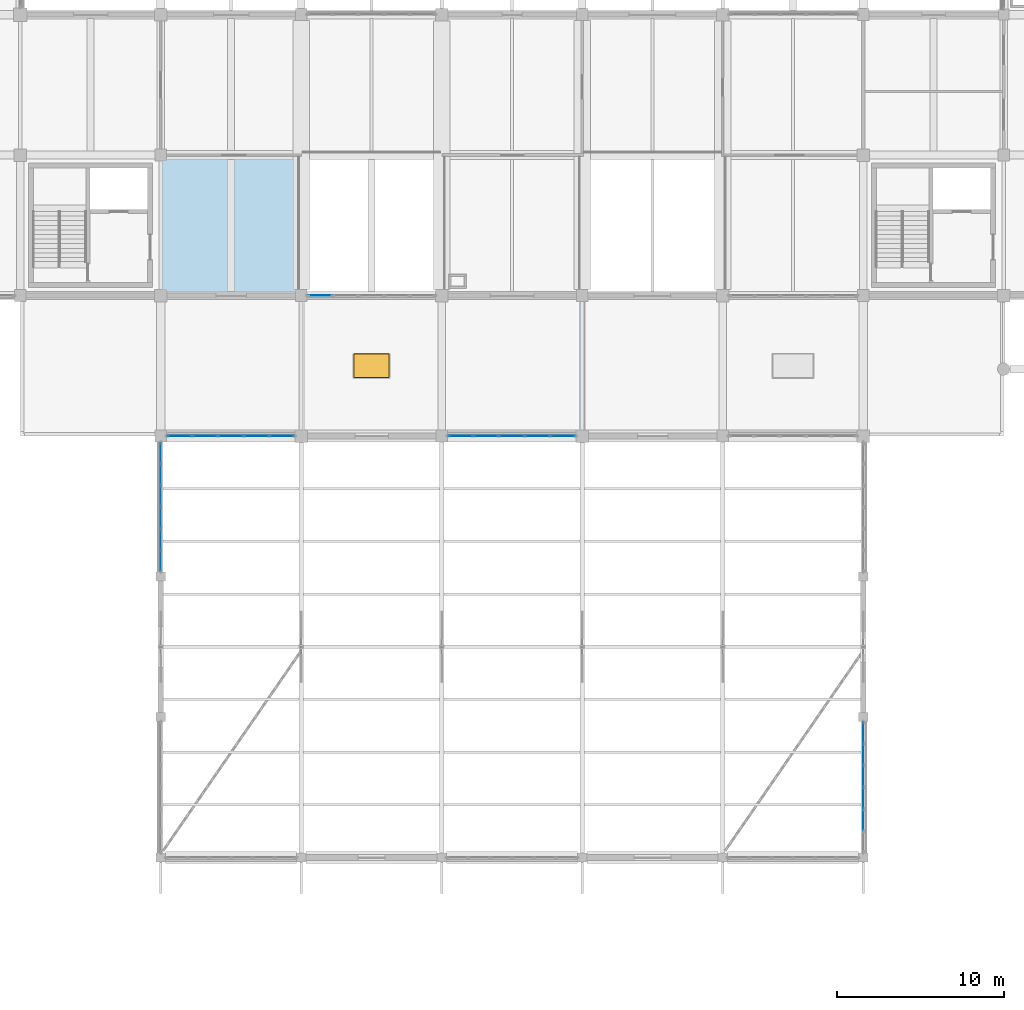
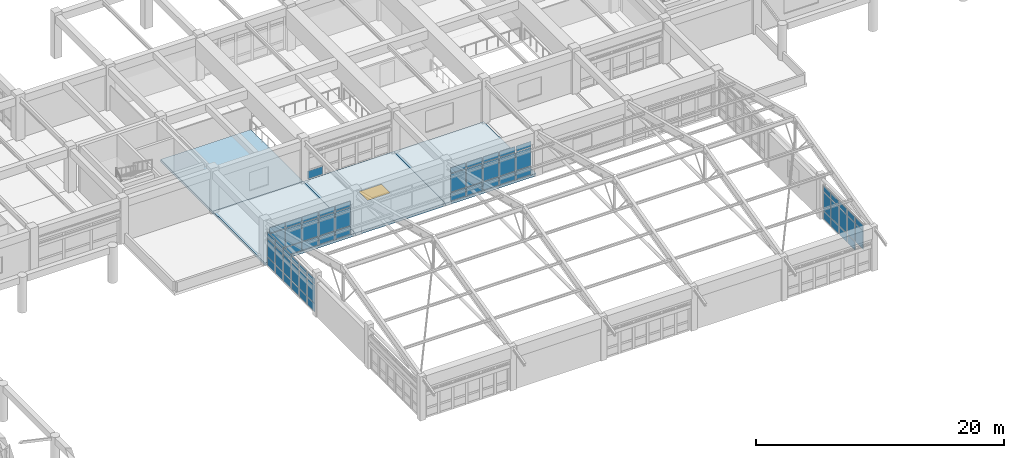
# One storey, part 61 of 99: 63 plates, 4 slabs, 1 window, 1 opening, 5 elements without a shape of their own.
"""IFC4 building model written with IfcOpenShell, lengths in metres."""

from ifc_helpers import new_model, si_unit, direction, frame, origin, origin_2d, place, context, subcontext, project, spatial, polyline, rectangle, outline, extrude, material, layer, layer_set, type_object, element, fill, aggregate, save


model = new_model("IFC4")

# Units and contexts
model_context = context("Model", 3, precision=1e-05, world=origin(), true_north=direction((0.0, 1.0)))
body_context = subcontext(model_context, "Body", "Model", "MODEL_VIEW")
ifc_project = project(units=[si_unit("LENGTHUNIT", "METRE"), si_unit("AREAUNIT", "SQUARE_METRE"), si_unit("VOLUMEUNIT", "CUBIC_METRE"), si_unit("PLANEANGLEUNIT", "RADIAN"), si_unit("MASSUNIT", "GRAM", prefix="KILO")], contexts=[model_context])

# Site, building, storey
site_placement = place(None, origin())
site = spatial("IfcSite", under=ifc_project, at=site_placement, CompositionType="ELEMENT")
building_placement = place(site_placement, origin())
building = spatial("IfcBuilding", under=site, at=building_placement, Name="Porcellanite Civic Hall", CompositionType="ELEMENT")
storey_placement = place(building_placement, frame((0.0, 0.0, 5.760009765625)))
storey = spatial("IfcBuildingStorey", under=building, at=storey_placement, Name="L01", CompositionType="ELEMENT", Elevation=5.760009765625)

# Curtain wall, plates
ifc_material_1 = material(Name="Anodised aluminium and solar laminated glass", Category="aluminium")
ifc_layer_1 = layer(ifc_material_1, 0.179931640625)
ifc_layer_set_1 = layer_set([ifc_layer_1], Name="Anodised aluminium and solar laminated glass")
curtain_wall_type = type_object("IfcCurtainWallType", Name="CW-SYS01", PredefinedType="NOTDEFINED", material=ifc_layer_set_1)
curtain_wall_1_placement = place(storey_placement, origin())
curtain_wall_1 = element("IfcCurtainWall", 1, at=curtain_wall_1_placement, inside=storey, type_object=curtain_wall_type, Name="Curtain wall CW-090", PredefinedType="NOTDEFINED")
ifc_material_2 = material(Name="Cyclone laminated solar-control low-E glass", Category="glass")
ifc_layer_2 = layer(ifc_material_2, 0.02392578125)
ifc_layer_set_2 = layer_set([ifc_layer_2], Name="Cyclone laminated solar-control low-E glass")
plate_type = type_object("IfcPlateType", Name="CWP-01", PredefinedType="CURTAIN_PANEL", material=ifc_layer_set_2)
plate_1_placement = place(storey_placement, frame((67.199951171875, 34.543701171875, 0.070068359375), z_axis=(0.0, 0.0, 1.0), x_axis=(0.0, 1.0, 0.0)))
plate_1 = element("IfcPlate", 2, at=plate_1_placement, type_object=plate_type, Name="CW-090 panel 1.1", PredefinedType="CURTAIN_PANEL", context=body_context, shape_type="SweptSolid", body=[
    extrude(rectangle(XDim=1.175537109375, YDim=0.02392578125, at=origin_2d()), origin(), (0.0, 0.0, 1.0), 0.794921875),
])
plate_2_placement = place(storey_placement, frame((67.199951171875, 34.543701171875, 0.93505859375), z_axis=(0.0, 0.0, 1.0), x_axis=(0.0, 1.0, 0.0)))
plate_2 = element("IfcPlate", 3, at=plate_2_placement, type_object=plate_type, Name="CW-090 panel 1.2", PredefinedType="CURTAIN_PANEL", context=body_context, shape_type="SweptSolid", body=[
    extrude(rectangle(XDim=1.175537109375, YDim=0.02392578125, at=origin_2d()), origin(), (0.0, 0.0, 1.0), 1.780029296875),
])
plate_3_placement = place(storey_placement, frame((67.199951171875, 34.543701171875, 2.784912109375), z_axis=(0.0, 0.0, 1.0), x_axis=(0.0, 1.0, 0.0)))
plate_3 = element("IfcPlate", 4, at=plate_3_placement, type_object=plate_type, Name="CW-090 panel 1.3", PredefinedType="CURTAIN_PANEL", context=body_context, shape_type="SweptSolid", body=[
    extrude(rectangle(XDim=1.175537109375, YDim=0.02392578125, at=origin_2d()), origin(), (0.0, 0.0, 1.0), 0.544921875),
])
plate_4_placement = place(storey_placement, frame((67.199951171875, 35.8193359375, 0.070068359375), z_axis=(0.0, 0.0, 1.0), x_axis=(0.0, 1.0, 0.0)))
plate_4 = element("IfcPlate", 5, at=plate_4_placement, type_object=plate_type, Name="CW-090 panel 2.1", PredefinedType="CURTAIN_PANEL", context=body_context, shape_type="SweptSolid", body=[
    extrude(rectangle(XDim=1.215576171875, YDim=0.02392578125, at=origin_2d()), origin(), (0.0, 0.0, 1.0), 0.794921875),
])
plate_5_placement = place(storey_placement, frame((67.199951171875, 35.8193359375, 0.93505859375), z_axis=(0.0, 0.0, 1.0), x_axis=(0.0, 1.0, 0.0)))
plate_5 = element("IfcPlate", 6, at=plate_5_placement, type_object=plate_type, Name="CW-090 panel 2.2", PredefinedType="CURTAIN_PANEL", context=body_context, shape_type="SweptSolid", body=[
    extrude(rectangle(XDim=1.215576171875, YDim=0.02392578125, at=origin_2d()), origin(), (0.0, 0.0, 1.0), 1.780029296875),
])
plate_6_placement = place(storey_placement, frame((67.199951171875, 35.8193359375, 2.784912109375), z_axis=(0.0, 0.0, 1.0), x_axis=(0.0, 1.0, 0.0)))
plate_6 = element("IfcPlate", 7, at=plate_6_placement, type_object=plate_type, Name="CW-090 panel 2.3", PredefinedType="CURTAIN_PANEL", context=body_context, shape_type="SweptSolid", body=[
    extrude(rectangle(XDim=1.215576171875, YDim=0.02392578125, at=origin_2d()), origin(), (0.0, 0.0, 1.0), 0.544921875),
])
plate_7_placement = place(storey_placement, frame((67.199951171875, 37.11474609375, 0.070068359375), z_axis=(0.0, 0.0, 1.0), x_axis=(0.0, 1.0, 0.0)))
plate_7 = element("IfcPlate", 8, at=plate_7_placement, type_object=plate_type, Name="CW-090 panel 3.1", PredefinedType="CURTAIN_PANEL", context=body_context, shape_type="SweptSolid", body=[
    extrude(rectangle(XDim=1.215576171875, YDim=0.02392578125, at=origin_2d()), origin(), (0.0, 0.0, 1.0), 0.794921875),
])
plate_8_placement = place(storey_placement, frame((67.199951171875, 37.11474609375, 0.93505859375), z_axis=(0.0, 0.0, 1.0), x_axis=(0.0, 1.0, 0.0)))
plate_8 = element("IfcPlate", 9, at=plate_8_placement, type_object=plate_type, Name="CW-090 panel 3.2", PredefinedType="CURTAIN_PANEL", context=body_context, shape_type="SweptSolid", body=[
    extrude(rectangle(XDim=1.215576171875, YDim=0.02392578125, at=origin_2d()), origin(), (0.0, 0.0, 1.0), 1.780029296875),
])
plate_9_placement = place(storey_placement, frame((67.199951171875, 37.11474609375, 2.784912109375), z_axis=(0.0, 0.0, 1.0), x_axis=(0.0, 1.0, 0.0)))
plate_9 = element("IfcPlate", 10, at=plate_9_placement, type_object=plate_type, Name="CW-090 panel 3.3", PredefinedType="CURTAIN_PANEL", context=body_context, shape_type="SweptSolid", body=[
    extrude(rectangle(XDim=1.215576171875, YDim=0.02392578125, at=origin_2d()), origin(), (0.0, 0.0, 1.0), 0.544921875),
])
plate_10_placement = place(storey_placement, frame((67.199951171875, 38.41015625, 0.070068359375), z_axis=(0.0, 0.0, 1.0), x_axis=(0.0, 1.0, 0.0)))
plate_10 = element("IfcPlate", 11, at=plate_10_placement, type_object=plate_type, Name="CW-090 panel 4.1", PredefinedType="CURTAIN_PANEL", context=body_context, shape_type="SweptSolid", body=[
    extrude(rectangle(XDim=1.215576171875, YDim=0.02392578125, at=origin_2d()), origin(), (0.0, 0.0, 1.0), 0.794921875),
])
plate_11_placement = place(storey_placement, frame((67.199951171875, 38.41015625, 0.93505859375), z_axis=(0.0, 0.0, 1.0), x_axis=(0.0, 1.0, 0.0)))
plate_11 = element("IfcPlate", 12, at=plate_11_placement, type_object=plate_type, Name="CW-090 panel 4.2", PredefinedType="CURTAIN_PANEL", context=body_context, shape_type="SweptSolid", body=[
    extrude(rectangle(XDim=1.215576171875, YDim=0.02392578125, at=origin_2d()), origin(), (0.0, 0.0, 1.0), 1.780029296875),
])
plate_12_placement = place(storey_placement, frame((67.199951171875, 38.41015625, 2.784912109375), z_axis=(0.0, 0.0, 1.0), x_axis=(0.0, 1.0, 0.0)))
plate_12 = element("IfcPlate", 13, at=plate_12_placement, type_object=plate_type, Name="CW-090 panel 4.3", PredefinedType="CURTAIN_PANEL", context=body_context, shape_type="SweptSolid", body=[
    extrude(rectangle(XDim=1.215576171875, YDim=0.02392578125, at=origin_2d()), origin(), (0.0, 0.0, 1.0), 0.544921875),
])
plate_13_placement = place(storey_placement, frame((67.199951171875, 39.705810546875, 0.070068359375), z_axis=(0.0, 0.0, 1.0), x_axis=(0.0, 1.0, 0.0)))
plate_13 = element("IfcPlate", 14, at=plate_13_placement, type_object=plate_type, Name="CW-090 panel 5.1", PredefinedType="CURTAIN_PANEL", context=body_context, shape_type="SweptSolid", body=[
    extrude(rectangle(XDim=1.215576171875, YDim=0.02392578125, at=origin_2d()), origin(), (0.0, 0.0, 1.0), 0.794921875),
])
plate_14_placement = place(storey_placement, frame((67.199951171875, 39.705810546875, 0.93505859375), z_axis=(0.0, 0.0, 1.0), x_axis=(0.0, 1.0, 0.0)))
plate_14 = element("IfcPlate", 15, at=plate_14_placement, type_object=plate_type, Name="CW-090 panel 5.2", PredefinedType="CURTAIN_PANEL", context=body_context, shape_type="SweptSolid", body=[
    extrude(rectangle(XDim=1.215576171875, YDim=0.02392578125, at=origin_2d()), origin(), (0.0, 0.0, 1.0), 1.780029296875),
])
plate_15_placement = place(storey_placement, frame((67.199951171875, 39.705810546875, 2.784912109375), z_axis=(0.0, 0.0, 1.0), x_axis=(0.0, 1.0, 0.0)))
plate_15 = element("IfcPlate", 16, at=plate_15_placement, type_object=plate_type, Name="CW-090 panel 5.3", PredefinedType="CURTAIN_PANEL", context=body_context, shape_type="SweptSolid", body=[
    extrude(rectangle(XDim=1.215576171875, YDim=0.02392578125, at=origin_2d()), origin(), (0.0, 0.0, 1.0), 0.544921875),
])
plate_16_placement = place(storey_placement, frame((67.199951171875, 40.981201171875, 0.070068359375), z_axis=(0.0, 0.0, 1.0), x_axis=(0.0, 1.0, 0.0)))
plate_16 = element("IfcPlate", 17, at=plate_16_placement, type_object=plate_type, Name="CW-090 panel 6.1", PredefinedType="CURTAIN_PANEL", context=body_context, shape_type="SweptSolid", body=[
    extrude(rectangle(XDim=1.175537109375, YDim=0.02392578125, at=origin_2d()), origin(), (0.0, 0.0, 1.0), 0.794921875),
])
plate_17_placement = place(storey_placement, frame((67.199951171875, 40.981201171875, 0.93505859375), z_axis=(0.0, 0.0, 1.0), x_axis=(0.0, 1.0, 0.0)))
plate_17 = element("IfcPlate", 18, at=plate_17_placement, type_object=plate_type, Name="CW-090 panel 6.2", PredefinedType="CURTAIN_PANEL", context=body_context, shape_type="SweptSolid", body=[
    extrude(rectangle(XDim=1.175537109375, YDim=0.02392578125, at=origin_2d()), origin(), (0.0, 0.0, 1.0), 1.780029296875),
])
plate_18_placement = place(storey_placement, frame((67.199951171875, 40.981201171875, 2.784912109375), z_axis=(0.0, 0.0, 1.0), x_axis=(0.0, 1.0, 0.0)))
plate_18 = element("IfcPlate", 19, at=plate_18_placement, type_object=plate_type, Name="CW-090 panel 6.3", PredefinedType="CURTAIN_PANEL", context=body_context, shape_type="SweptSolid", body=[
    extrude(rectangle(XDim=1.175537109375, YDim=0.02392578125, at=origin_2d()), origin(), (0.0, 0.0, 1.0), 0.544921875),
])
aggregate(curtain_wall_1, [plate_1, plate_2, plate_3, plate_4, plate_5, plate_6, plate_7, plate_8, plate_9, plate_10, plate_11, plate_12, plate_13, plate_14, plate_15, plate_16, plate_17, plate_18])

curtain_wall_2_placement = place(storey_placement, origin())
curtain_wall_2 = element("IfcCurtainWall", 20, at=curtain_wall_2_placement, inside=storey, type_object=curtain_wall_type, Name="Curtain wall CW-091", PredefinedType="NOTDEFINED")
plate_19_placement = place(storey_placement, frame((68.33837890625, 42.0, 0.070068359375), z_axis=(0.0, 0.0, 1.0), x_axis=(1.0, 0.0, 0.0)))
plate_19 = element("IfcPlate", 21, at=plate_19_placement, type_object=plate_type, Name="CW-091 panel 1.1", PredefinedType="CURTAIN_PANEL", context=body_context, shape_type="SweptSolid", body=[
    extrude(rectangle(XDim=1.41455078125, YDim=0.02392578125, at=origin_2d()), origin(), (0.0, 0.0, 1.0), 0.794921875),
])
plate_20_placement = place(storey_placement, frame((68.33837890625, 42.0, 0.93505859375), z_axis=(0.0, 0.0, 1.0), x_axis=(1.0, 0.0, 0.0)))
plate_20 = element("IfcPlate", 22, at=plate_20_placement, type_object=plate_type, Name="CW-091 panel 1.2", PredefinedType="CURTAIN_PANEL", context=body_context, shape_type="SweptSolid", body=[
    extrude(rectangle(XDim=1.41455078125, YDim=0.02392578125, at=origin_2d()), origin(), (0.0, 0.0, 1.0), 1.780029296875),
])
plate_21_placement = place(storey_placement, frame((68.33837890625, 42.0, 2.784912109375), z_axis=(0.0, 0.0, 1.0), x_axis=(1.0, 0.0, 0.0)))
plate_21 = element("IfcPlate", 23, at=plate_21_placement, type_object=plate_type, Name="CW-091 panel 1.3", PredefinedType="CURTAIN_PANEL", context=body_context, shape_type="SweptSolid", body=[
    extrude(rectangle(XDim=1.41455078125, YDim=0.02392578125, at=origin_2d()), origin(), (0.0, 0.0, 1.0), 0.544921875),
])
plate_22_placement = place(storey_placement, frame((69.852783203125, 42.0, 0.070068359375), z_axis=(0.0, 0.0, 1.0), x_axis=(1.0, 0.0, 0.0)))
plate_22 = element("IfcPlate", 24, at=plate_22_placement, type_object=plate_type, Name="CW-091 panel 2.1", PredefinedType="CURTAIN_PANEL", context=body_context, shape_type="SweptSolid", body=[
    extrude(rectangle(XDim=1.45458984375, YDim=0.02392578125, at=origin_2d()), origin(), (0.0, 0.0, 1.0), 0.794921875),
])
plate_23_placement = place(storey_placement, frame((69.852783203125, 42.0, 0.93505859375), z_axis=(0.0, 0.0, 1.0), x_axis=(1.0, 0.0, 0.0)))
plate_23 = element("IfcPlate", 25, at=plate_23_placement, type_object=plate_type, Name="CW-091 panel 2.2", PredefinedType="CURTAIN_PANEL", context=body_context, shape_type="SweptSolid", body=[
    extrude(rectangle(XDim=1.45458984375, YDim=0.02392578125, at=origin_2d()), origin(), (0.0, 0.0, 1.0), 1.780029296875),
])
plate_24_placement = place(storey_placement, frame((69.852783203125, 42.0, 2.784912109375), z_axis=(0.0, 0.0, 1.0), x_axis=(1.0, 0.0, 0.0)))
plate_24 = element("IfcPlate", 26, at=plate_24_placement, type_object=plate_type, Name="CW-091 panel 2.3", PredefinedType="CURTAIN_PANEL", context=body_context, shape_type="SweptSolid", body=[
    extrude(rectangle(XDim=1.45458984375, YDim=0.02392578125, at=origin_2d()), origin(), (0.0, 0.0, 1.0), 0.544921875),
])
plate_25_placement = place(storey_placement, frame((71.387451171875, 42.0, 0.070068359375), z_axis=(0.0, 0.0, 1.0), x_axis=(1.0, 0.0, 0.0)))
plate_25 = element("IfcPlate", 27, at=plate_25_placement, type_object=plate_type, Name="CW-091 panel 3.1", PredefinedType="CURTAIN_PANEL", context=body_context, shape_type="SweptSolid", body=[
    extrude(rectangle(XDim=1.45458984375, YDim=0.02392578125, at=origin_2d()), origin(), (0.0, 0.0, 1.0), 0.794921875),
])
plate_26_placement = place(storey_placement, frame((71.387451171875, 42.0, 0.93505859375), z_axis=(0.0, 0.0, 1.0), x_axis=(1.0, 0.0, 0.0)))
plate_26 = element("IfcPlate", 28, at=plate_26_placement, type_object=plate_type, Name="CW-091 panel 3.2", PredefinedType="CURTAIN_PANEL", context=body_context, shape_type="SweptSolid", body=[
    extrude(rectangle(XDim=1.45458984375, YDim=0.02392578125, at=origin_2d()), origin(), (0.0, 0.0, 1.0), 1.780029296875),
])
plate_27_placement = place(storey_placement, frame((71.387451171875, 42.0, 2.784912109375), z_axis=(0.0, 0.0, 1.0), x_axis=(1.0, 0.0, 0.0)))
plate_27 = element("IfcPlate", 29, at=plate_27_placement, type_object=plate_type, Name="CW-091 panel 3.3", PredefinedType="CURTAIN_PANEL", context=body_context, shape_type="SweptSolid", body=[
    extrude(rectangle(XDim=1.45458984375, YDim=0.02392578125, at=origin_2d()), origin(), (0.0, 0.0, 1.0), 0.544921875),
])
plate_28_placement = place(storey_placement, frame((72.922119140625, 42.0, 0.070068359375), z_axis=(0.0, 0.0, 1.0), x_axis=(1.0, 0.0, 0.0)))
plate_28 = element("IfcPlate", 30, at=plate_28_placement, type_object=plate_type, Name="CW-091 panel 4.1", PredefinedType="CURTAIN_PANEL", context=body_context, shape_type="SweptSolid", body=[
    extrude(rectangle(XDim=1.45458984375, YDim=0.02392578125, at=origin_2d()), origin(), (0.0, 0.0, 1.0), 0.794921875),
])
plate_29_placement = place(storey_placement, frame((72.922119140625, 42.0, 0.93505859375), z_axis=(0.0, 0.0, 1.0), x_axis=(1.0, 0.0, 0.0)))
plate_29 = element("IfcPlate", 31, at=plate_29_placement, type_object=plate_type, Name="CW-091 panel 4.2", PredefinedType="CURTAIN_PANEL", context=body_context, shape_type="SweptSolid", body=[
    extrude(rectangle(XDim=1.45458984375, YDim=0.02392578125, at=origin_2d()), origin(), (0.0, 0.0, 1.0), 1.780029296875),
])
plate_30_placement = place(storey_placement, frame((72.922119140625, 42.0, 2.784912109375), z_axis=(0.0, 0.0, 1.0), x_axis=(1.0, 0.0, 0.0)))
plate_30 = element("IfcPlate", 32, at=plate_30_placement, type_object=plate_type, Name="CW-091 panel 4.3", PredefinedType="CURTAIN_PANEL", context=body_context, shape_type="SweptSolid", body=[
    extrude(rectangle(XDim=1.45458984375, YDim=0.02392578125, at=origin_2d()), origin(), (0.0, 0.0, 1.0), 0.544921875),
])
plate_31_placement = place(storey_placement, frame((74.436767578125, 42.0, 0.070068359375), z_axis=(0.0, 0.0, 1.0), x_axis=(1.0, 0.0, 0.0)))
plate_31 = element("IfcPlate", 33, at=plate_31_placement, type_object=plate_type, Name="CW-091 panel 5.1", PredefinedType="CURTAIN_PANEL", context=body_context, shape_type="SweptSolid", body=[
    extrude(rectangle(XDim=1.41455078125, YDim=0.02392578125, at=origin_2d()), origin(), (0.0, 0.0, 1.0), 0.794921875),
])
plate_32_placement = place(storey_placement, frame((74.436767578125, 42.0, 0.93505859375), z_axis=(0.0, 0.0, 1.0), x_axis=(1.0, 0.0, 0.0)))
plate_32 = element("IfcPlate", 34, at=plate_32_placement, type_object=plate_type, Name="CW-091 panel 5.2", PredefinedType="CURTAIN_PANEL", context=body_context, shape_type="SweptSolid", body=[
    extrude(rectangle(XDim=1.41455078125, YDim=0.02392578125, at=origin_2d()), origin(), (0.0, 0.0, 1.0), 1.780029296875),
])
plate_33_placement = place(storey_placement, frame((74.436767578125, 42.0, 2.784912109375), z_axis=(0.0, 0.0, 1.0), x_axis=(1.0, 0.0, 0.0)))
plate_33 = element("IfcPlate", 35, at=plate_33_placement, type_object=plate_type, Name="CW-091 panel 5.3", PredefinedType="CURTAIN_PANEL", context=body_context, shape_type="SweptSolid", body=[
    extrude(rectangle(XDim=1.41455078125, YDim=0.02392578125, at=origin_2d()), origin(), (0.0, 0.0, 1.0), 0.544921875),
])
aggregate(curtain_wall_2, [plate_19, plate_20, plate_21, plate_22, plate_23, plate_24, plate_25, plate_26, plate_27, plate_28, plate_29, plate_30, plate_31, plate_32, plate_33])

# Curtain wall, plate
curtain_wall_3_placement = place(storey_placement, origin())
curtain_wall_3 = element("IfcCurtainWall", 36, at=curtain_wall_3_placement, inside=storey, type_object=curtain_wall_type, Name="Curtain wall CW-092", PredefinedType="NOTDEFINED")
plate_34_placement = place(storey_placement, frame((76.73828125, 50.39990234375, 0.070068359375), z_axis=(0.0, 0.0, 1.0), x_axis=(-1.0, 0.0, 0.0)))
plate_34 = element("IfcPlate", 37, at=plate_34_placement, type_object=plate_type, Name="CW-092 panel 5.1", PredefinedType="CURTAIN_PANEL", context=body_context, shape_type="SweptSolid", body=[
    extrude(rectangle(XDim=1.41455078125, YDim=0.02392578125, at=origin_2d()), origin(), (0.0, 0.0, 1.0), 0.794921875),
])
aggregate(curtain_wall_3, [plate_34])

# Curtain wall, plates
curtain_wall_4_placement = place(storey_placement, origin())
curtain_wall_4 = element("IfcCurtainWall", 38, at=curtain_wall_4_placement, inside=storey, type_object=curtain_wall_type, Name="Curtain wall CW-096", PredefinedType="NOTDEFINED")
plate_35_placement = place(storey_placement, frame((85.13818359375, 42.0, 0.070068359375), z_axis=(0.0, 0.0, 1.0), x_axis=(1.0, 0.0, 0.0)))
plate_35 = element("IfcPlate", 39, at=plate_35_placement, type_object=plate_type, Name="CW-096 panel 1.1", PredefinedType="CURTAIN_PANEL", context=body_context, shape_type="SweptSolid", body=[
    extrude(rectangle(XDim=1.41455078125, YDim=0.02392578125, at=origin_2d()), origin(), (0.0, 0.0, 1.0), 0.794921875),
])
plate_36_placement = place(storey_placement, frame((85.13818359375, 42.0, 0.93505859375), z_axis=(0.0, 0.0, 1.0), x_axis=(1.0, 0.0, 0.0)))
plate_36 = element("IfcPlate", 40, at=plate_36_placement, type_object=plate_type, Name="CW-096 panel 1.2", PredefinedType="CURTAIN_PANEL", context=body_context, shape_type="SweptSolid", body=[
    extrude(rectangle(XDim=1.41455078125, YDim=0.02392578125, at=origin_2d()), origin(), (0.0, 0.0, 1.0), 1.780029296875),
])
plate_37_placement = place(storey_placement, frame((85.13818359375, 42.0, 2.784912109375), z_axis=(0.0, 0.0, 1.0), x_axis=(1.0, 0.0, 0.0)))
plate_37 = element("IfcPlate", 41, at=plate_37_placement, type_object=plate_type, Name="CW-096 panel 1.3", PredefinedType="CURTAIN_PANEL", context=body_context, shape_type="SweptSolid", body=[
    extrude(rectangle(XDim=1.41455078125, YDim=0.02392578125, at=origin_2d()), origin(), (0.0, 0.0, 1.0), 0.544921875),
])
plate_38_placement = place(storey_placement, frame((86.65283203125, 42.0, 0.070068359375), z_axis=(0.0, 0.0, 1.0), x_axis=(1.0, 0.0, 0.0)))
plate_38 = element("IfcPlate", 42, at=plate_38_placement, type_object=plate_type, Name="CW-096 panel 2.1", PredefinedType="CURTAIN_PANEL", context=body_context, shape_type="SweptSolid", body=[
    extrude(rectangle(XDim=1.45458984375, YDim=0.02392578125, at=origin_2d()), origin(), (0.0, 0.0, 1.0), 0.794921875),
])
plate_39_placement = place(storey_placement, frame((86.65283203125, 42.0, 0.93505859375), z_axis=(0.0, 0.0, 1.0), x_axis=(1.0, 0.0, 0.0)))
plate_39 = element("IfcPlate", 43, at=plate_39_placement, type_object=plate_type, Name="CW-096 panel 2.2", PredefinedType="CURTAIN_PANEL", context=body_context, shape_type="SweptSolid", body=[
    extrude(rectangle(XDim=1.45458984375, YDim=0.02392578125, at=origin_2d()), origin(), (0.0, 0.0, 1.0), 1.780029296875),
])
plate_40_placement = place(storey_placement, frame((86.65283203125, 42.0, 2.784912109375), z_axis=(0.0, 0.0, 1.0), x_axis=(1.0, 0.0, 0.0)))
plate_40 = element("IfcPlate", 44, at=plate_40_placement, type_object=plate_type, Name="CW-096 panel 2.3", PredefinedType="CURTAIN_PANEL", context=body_context, shape_type="SweptSolid", body=[
    extrude(rectangle(XDim=1.45458984375, YDim=0.02392578125, at=origin_2d()), origin(), (0.0, 0.0, 1.0), 0.544921875),
])
plate_41_placement = place(storey_placement, frame((88.1875, 42.0, 0.070068359375), z_axis=(0.0, 0.0, 1.0), x_axis=(1.0, 0.0, 0.0)))
plate_41 = element("IfcPlate", 45, at=plate_41_placement, type_object=plate_type, Name="CW-096 panel 3.1", PredefinedType="CURTAIN_PANEL", context=body_context, shape_type="SweptSolid", body=[
    extrude(rectangle(XDim=1.45458984375, YDim=0.02392578125, at=origin_2d()), origin(), (0.0, 0.0, 1.0), 0.794921875),
])
plate_42_placement = place(storey_placement, frame((88.1875, 42.0, 0.93505859375), z_axis=(0.0, 0.0, 1.0), x_axis=(1.0, 0.0, 0.0)))
plate_42 = element("IfcPlate", 46, at=plate_42_placement, type_object=plate_type, Name="CW-096 panel 3.2", PredefinedType="CURTAIN_PANEL", context=body_context, shape_type="SweptSolid", body=[
    extrude(rectangle(XDim=1.45458984375, YDim=0.02392578125, at=origin_2d()), origin(), (0.0, 0.0, 1.0), 1.780029296875),
])
plate_43_placement = place(storey_placement, frame((88.1875, 42.0, 2.784912109375), z_axis=(0.0, 0.0, 1.0), x_axis=(1.0, 0.0, 0.0)))
plate_43 = element("IfcPlate", 47, at=plate_43_placement, type_object=plate_type, Name="CW-096 panel 3.3", PredefinedType="CURTAIN_PANEL", context=body_context, shape_type="SweptSolid", body=[
    extrude(rectangle(XDim=1.45458984375, YDim=0.02392578125, at=origin_2d()), origin(), (0.0, 0.0, 1.0), 0.544921875),
])
plate_44_placement = place(storey_placement, frame((89.72216796875, 42.0, 0.070068359375), z_axis=(0.0, 0.0, 1.0), x_axis=(1.0, 0.0, 0.0)))
plate_44 = element("IfcPlate", 48, at=plate_44_placement, type_object=plate_type, Name="CW-096 panel 4.1", PredefinedType="CURTAIN_PANEL", context=body_context, shape_type="SweptSolid", body=[
    extrude(rectangle(XDim=1.45458984375, YDim=0.02392578125, at=origin_2d()), origin(), (0.0, 0.0, 1.0), 0.794921875),
])
plate_45_placement = place(storey_placement, frame((89.72216796875, 42.0, 0.93505859375), z_axis=(0.0, 0.0, 1.0), x_axis=(1.0, 0.0, 0.0)))
plate_45 = element("IfcPlate", 49, at=plate_45_placement, type_object=plate_type, Name="CW-096 panel 4.2", PredefinedType="CURTAIN_PANEL", context=body_context, shape_type="SweptSolid", body=[
    extrude(rectangle(XDim=1.45458984375, YDim=0.02392578125, at=origin_2d()), origin(), (0.0, 0.0, 1.0), 1.780029296875),
])
plate_46_placement = place(storey_placement, frame((89.72216796875, 42.0, 2.784912109375), z_axis=(0.0, 0.0, 1.0), x_axis=(1.0, 0.0, 0.0)))
plate_46 = element("IfcPlate", 50, at=plate_46_placement, type_object=plate_type, Name="CW-096 panel 4.3", PredefinedType="CURTAIN_PANEL", context=body_context, shape_type="SweptSolid", body=[
    extrude(rectangle(XDim=1.45458984375, YDim=0.02392578125, at=origin_2d()), origin(), (0.0, 0.0, 1.0), 0.544921875),
])
plate_47_placement = place(storey_placement, frame((91.23681640625, 42.0, 0.070068359375), z_axis=(0.0, 0.0, 1.0), x_axis=(1.0, 0.0, 0.0)))
plate_47 = element("IfcPlate", 51, at=plate_47_placement, type_object=plate_type, Name="CW-096 panel 5.1", PredefinedType="CURTAIN_PANEL", context=body_context, shape_type="SweptSolid", body=[
    extrude(rectangle(XDim=1.41455078125, YDim=0.02392578125, at=origin_2d()), origin(), (0.0, 0.0, 1.0), 0.794921875),
])
plate_48_placement = place(storey_placement, frame((91.23681640625, 42.0, 0.93505859375), z_axis=(0.0, 0.0, 1.0), x_axis=(1.0, 0.0, 0.0)))
plate_48 = element("IfcPlate", 52, at=plate_48_placement, type_object=plate_type, Name="CW-096 panel 5.2", PredefinedType="CURTAIN_PANEL", context=body_context, shape_type="SweptSolid", body=[
    extrude(rectangle(XDim=1.41455078125, YDim=0.02392578125, at=origin_2d()), origin(), (0.0, 0.0, 1.0), 1.780029296875),
])
plate_49_placement = place(storey_placement, frame((91.23681640625, 42.0, 2.784912109375), z_axis=(0.0, 0.0, 1.0), x_axis=(1.0, 0.0, 0.0)))
plate_49 = element("IfcPlate", 53, at=plate_49_placement, type_object=plate_type, Name="CW-096 panel 5.3", PredefinedType="CURTAIN_PANEL", context=body_context, shape_type="SweptSolid", body=[
    extrude(rectangle(XDim=1.41455078125, YDim=0.02392578125, at=origin_2d()), origin(), (0.0, 0.0, 1.0), 0.544921875),
])
aggregate(curtain_wall_4, [plate_35, plate_36, plate_37, plate_38, plate_39, plate_40, plate_41, plate_42, plate_43, plate_44, plate_45, plate_46, plate_47, plate_48, plate_49])

curtain_wall_5_placement = place(storey_placement, origin())
curtain_wall_5 = element("IfcCurtainWall", 54, at=curtain_wall_5_placement, inside=storey, type_object=curtain_wall_type, Name="Curtain wall CW-099", PredefinedType="NOTDEFINED")
plate_50_placement = place(storey_placement, frame((109.199951171875, 24.25, 0.070068359375), z_axis=(0.0, 0.0, 1.0), x_axis=(0.0, -1.0, 0.0)))
plate_50 = element("IfcPlate", 55, at=plate_50_placement, type_object=plate_type, Name="CW-099 panel 1.1", PredefinedType="CURTAIN_PANEL", context=body_context, shape_type="SweptSolid", body=[
    extrude(rectangle(XDim=1.18798828125, YDim=0.02392578125, at=origin_2d()), origin(), (0.0, 0.0, 1.0), 0.794921875),
])
plate_51_placement = place(storey_placement, frame((109.199951171875, 24.25, 0.93505859375), z_axis=(0.0, 0.0, 1.0), x_axis=(0.0, -1.0, 0.0)))
plate_51 = element("IfcPlate", 56, at=plate_51_placement, type_object=plate_type, Name="CW-099 panel 1.2", PredefinedType="CURTAIN_PANEL", context=body_context, shape_type="SweptSolid", body=[
    extrude(rectangle(XDim=1.18798828125, YDim=0.02392578125, at=origin_2d()), origin(), (0.0, 0.0, 1.0), 1.780029296875),
])
plate_52_placement = place(storey_placement, frame((109.199951171875, 24.25, 2.784912109375), z_axis=(0.0, 0.0, 1.0), x_axis=(0.0, -1.0, 0.0)))
plate_52 = element("IfcPlate", 57, at=plate_52_placement, type_object=plate_type, Name="CW-099 panel 1.3", PredefinedType="CURTAIN_PANEL", context=body_context, shape_type="SweptSolid", body=[
    extrude(rectangle(XDim=1.18798828125, YDim=0.02392578125, at=origin_2d()), origin(), (0.0, 0.0, 1.0), 0.544921875),
])
plate_53_placement = place(storey_placement, frame((109.199951171875, 22.9619140625, 0.070068359375), z_axis=(0.0, 0.0, 1.0), x_axis=(0.0, -1.0, 0.0)))
plate_53 = element("IfcPlate", 58, at=plate_53_placement, type_object=plate_type, Name="CW-099 panel 2.1", PredefinedType="CURTAIN_PANEL", context=body_context, shape_type="SweptSolid", body=[
    extrude(rectangle(XDim=1.22802734375, YDim=0.02392578125, at=origin_2d()), origin(), (0.0, 0.0, 1.0), 0.794921875),
])
plate_54_placement = place(storey_placement, frame((109.199951171875, 22.9619140625, 0.93505859375), z_axis=(0.0, 0.0, 1.0), x_axis=(0.0, -1.0, 0.0)))
plate_54 = element("IfcPlate", 59, at=plate_54_placement, type_object=plate_type, Name="CW-099 panel 2.2", PredefinedType="CURTAIN_PANEL", context=body_context, shape_type="SweptSolid", body=[
    extrude(rectangle(XDim=1.22802734375, YDim=0.02392578125, at=origin_2d()), origin(), (0.0, 0.0, 1.0), 1.780029296875),
])
plate_55_placement = place(storey_placement, frame((109.199951171875, 22.9619140625, 2.784912109375), z_axis=(0.0, 0.0, 1.0), x_axis=(0.0, -1.0, 0.0)))
plate_55 = element("IfcPlate", 60, at=plate_55_placement, type_object=plate_type, Name="CW-099 panel 2.3", PredefinedType="CURTAIN_PANEL", context=body_context, shape_type="SweptSolid", body=[
    extrude(rectangle(XDim=1.22802734375, YDim=0.02392578125, at=origin_2d()), origin(), (0.0, 0.0, 1.0), 0.544921875),
])
plate_56_placement = place(storey_placement, frame((109.199951171875, 21.654052734375, 0.070068359375), z_axis=(0.0, 0.0, 1.0), x_axis=(0.0, -1.0, 0.0)))
plate_56 = element("IfcPlate", 61, at=plate_56_placement, type_object=plate_type, Name="CW-099 panel 3.1", PredefinedType="CURTAIN_PANEL", context=body_context, shape_type="SweptSolid", body=[
    extrude(rectangle(XDim=1.22802734375, YDim=0.02392578125, at=origin_2d()), origin(), (0.0, 0.0, 1.0), 0.794921875),
])
plate_57_placement = place(storey_placement, frame((109.199951171875, 21.654052734375, 0.93505859375), z_axis=(0.0, 0.0, 1.0), x_axis=(0.0, -1.0, 0.0)))
plate_57 = element("IfcPlate", 62, at=plate_57_placement, type_object=plate_type, Name="CW-099 panel 3.2", PredefinedType="CURTAIN_PANEL", context=body_context, shape_type="SweptSolid", body=[
    extrude(rectangle(XDim=1.22802734375, YDim=0.02392578125, at=origin_2d()), origin(), (0.0, 0.0, 1.0), 1.780029296875),
])
plate_58_placement = place(storey_placement, frame((109.199951171875, 21.654052734375, 2.784912109375), z_axis=(0.0, 0.0, 1.0), x_axis=(0.0, -1.0, 0.0)))
plate_58 = element("IfcPlate", 63, at=plate_58_placement, type_object=plate_type, Name="CW-099 panel 3.3", PredefinedType="CURTAIN_PANEL", context=body_context, shape_type="SweptSolid", body=[
    extrude(rectangle(XDim=1.22802734375, YDim=0.02392578125, at=origin_2d()), origin(), (0.0, 0.0, 1.0), 0.544921875),
])
plate_59_placement = place(storey_placement, frame((109.199951171875, 20.345947265625, 0.070068359375), z_axis=(0.0, 0.0, 1.0), x_axis=(0.0, -1.0, 0.0)))
plate_59 = element("IfcPlate", 64, at=plate_59_placement, type_object=plate_type, Name="CW-099 panel 4.1", PredefinedType="CURTAIN_PANEL", context=body_context, shape_type="SweptSolid", body=[
    extrude(rectangle(XDim=1.22802734375, YDim=0.02392578125, at=origin_2d()), origin(), (0.0, 0.0, 1.0), 0.794921875),
])
plate_60_placement = place(storey_placement, frame((109.199951171875, 20.345947265625, 0.93505859375), z_axis=(0.0, 0.0, 1.0), x_axis=(0.0, -1.0, 0.0)))
plate_60 = element("IfcPlate", 65, at=plate_60_placement, type_object=plate_type, Name="CW-099 panel 4.2", PredefinedType="CURTAIN_PANEL", context=body_context, shape_type="SweptSolid", body=[
    extrude(rectangle(XDim=1.22802734375, YDim=0.02392578125, at=origin_2d()), origin(), (0.0, 0.0, 1.0), 1.780029296875),
])
plate_61_placement = place(storey_placement, frame((109.199951171875, 20.345947265625, 2.784912109375), z_axis=(0.0, 0.0, 1.0), x_axis=(0.0, -1.0, 0.0)))
plate_61 = element("IfcPlate", 66, at=plate_61_placement, type_object=plate_type, Name="CW-099 panel 4.3", PredefinedType="CURTAIN_PANEL", context=body_context, shape_type="SweptSolid", body=[
    extrude(rectangle(XDim=1.22802734375, YDim=0.02392578125, at=origin_2d()), origin(), (0.0, 0.0, 1.0), 0.544921875),
])
plate_62_placement = place(storey_placement, frame((109.199951171875, 19.0380859375, 0.93505859375), z_axis=(0.0, 0.0, 1.0), x_axis=(0.0, -1.0, 0.0)))
plate_62 = element("IfcPlate", 67, at=plate_62_placement, type_object=plate_type, Name="CW-099 panel 5.2", PredefinedType="CURTAIN_PANEL", context=body_context, shape_type="SweptSolid", body=[
    extrude(rectangle(XDim=1.22802734375, YDim=0.02392578125, at=origin_2d()), origin(), (0.0, 0.0, 1.0), 1.780029296875),
])
plate_63_placement = place(storey_placement, frame((109.199951171875, 19.0380859375, 2.784912109375), z_axis=(0.0, 0.0, 1.0), x_axis=(0.0, -1.0, 0.0)))
plate_63 = element("IfcPlate", 68, at=plate_63_placement, type_object=plate_type, Name="CW-099 panel 5.3", PredefinedType="CURTAIN_PANEL", context=body_context, shape_type="SweptSolid", body=[
    extrude(rectangle(XDim=1.22802734375, YDim=0.02392578125, at=origin_2d()), origin(), (0.0, 0.0, 1.0), 0.544921875),
])
aggregate(curtain_wall_5, [plate_50, plate_51, plate_52, plate_53, plate_54, plate_55, plate_56, plate_57, plate_58, plate_59, plate_60, plate_61, plate_62, plate_63])

# Slabs
ifc_material_3 = material(Name="Concrete N40 (40 MPa)", Category="concrete")
ifc_layer_3 = layer(ifc_material_3, 0.25)
ifc_layer_set_3 = layer_set([ifc_layer_3], Name="Concrete N40 (40 MPa)")
slab_type_1 = type_object("IfcSlabType", Name="SL-FL250", PredefinedType="FLOOR", material=ifc_layer_set_3)
slab_1_placement = place(storey_placement, frame((0.0, 0.0, -0.25)))
element("IfcSlab", 69, at=slab_1_placement, inside=storey, type_object=slab_type_1, Name="Slab L01 bay 9-7", PredefinedType="FLOOR", context=body_context, shape_type="SweptSolid", body=[
    extrude(outline(polyline([(67.199951171875, 50.39990234375), (75.60009765625, 50.39990234375), (75.60009765625, 58.800048828125), (67.199951171875, 58.800048828125), (67.199951171875, 50.39990234375)])), origin(), (0.0, 0.0, 1.0), 0.25),
])
ifc_material_4 = material(Name="Concrete N40 (40 MPa)", Category="concrete")
ifc_layer_4 = layer(ifc_material_4, 0.260009765625)
ifc_layer_set_4 = layer_set([ifc_layer_4], Name="Concrete N40 (40 MPa)")
slab_type_2 = type_object("IfcSlabType", Name="SL-RF260", PredefinedType="ROOF", material=ifc_layer_set_4)
slab_2_placement = place(storey_placement, frame((0.0, 0.0, -0.260009765625)))
element("IfcSlab", 70, at=slab_2_placement, inside=storey, type_object=slab_type_2, Name="Roof slab L01 9-6", PredefinedType="ROOF", context=body_context, shape_type="SweptSolid", body=[
    extrude(outline(polyline([(67.199951171875, 42.0), (75.60009765625, 42.0), (75.60009765625, 50.39990234375), (67.199951171875, 50.39990234375), (67.199951171875, 42.0)])), origin(), (0.0, 0.0, 1.0), 0.260009765625),
])

# Slab, opening, window
slab_3_placement = place(storey_placement, frame((0.0, 0.0, -0.260009765625)))
slab_3 = element("IfcSlab", 71, at=slab_3_placement, inside=storey, type_object=slab_type_2, Name="Roof slab L01 10-6", PredefinedType="ROOF", context=body_context, shape_type="SweptSolid", body=[
    extrude(outline(polyline([(75.60009765625, 42.0), (84.0, 42.0), (84.0, 50.39990234375), (75.60009765625, 50.39990234375), (75.60009765625, 42.0)])), origin(), (0.0, 0.0, 1.0), 0.260009765625),
])
opening_placement = place(slab_3_placement, frame((79.800048828125, 46.199951171875, 0.0)))
opening = element("IfcOpeningElement", 72, at=opening_placement, cuts=slab_3, Name="Opening SK4", PredefinedType="OPENING", context=body_context, shape_type="SweptSolid", body=[
    extrude(rectangle(XDim=2.10009765625, YDim=1.39990234375, at=origin_2d()), origin(), (0.0, 0.0, 1.0), 0.260009765625),
])
ifc_material_5 = material(Name="Cyclone laminated low-E glazing in anodised aluminium frame", Category="aluminium")
window_type = type_object("IfcWindowType", Name="SK-04", PartitioningType="DOUBLE_PANEL_VERTICAL", PredefinedType="SKYLIGHT", material=ifc_material_5)
window_placement = place(opening_placement, frame((0.0, 0.0, 0.2099609375)))
window = element("IfcWindow", 73, at=window_placement, inside=storey, type_object=window_type, Name="Roof skylight SK4 L01 10-6", OverallHeight=1.39990234375, OverallWidth=2.10009765625, PartitioningType="SINGLE_PANEL", PredefinedType="SKYLIGHT", context=body_context, shape_type="SweptSolid", body=[
    extrude(rectangle(XDim=2.10009765625, YDim=1.39990234375, at=origin_2d()), origin(), (0.0, 0.0, 1.0), 0.050048828125),
])
fill(opening, window)

# Slab
slab_4_placement = place(storey_placement, frame((0.0, 0.0, -0.260009765625)))
element("IfcSlab", 74, at=slab_4_placement, inside=storey, type_object=slab_type_2, Name="Roof slab L01 11-6", PredefinedType="ROOF", context=body_context, shape_type="SweptSolid", body=[
    extrude(outline(polyline([(84.0, 42.0), (92.39990234375, 42.0), (92.39990234375, 50.39990234375), (84.0, 50.39990234375), (84.0, 42.0)])), origin(), (0.0, 0.0, 1.0), 0.260009765625),
])

save(model, "model.ifc")
